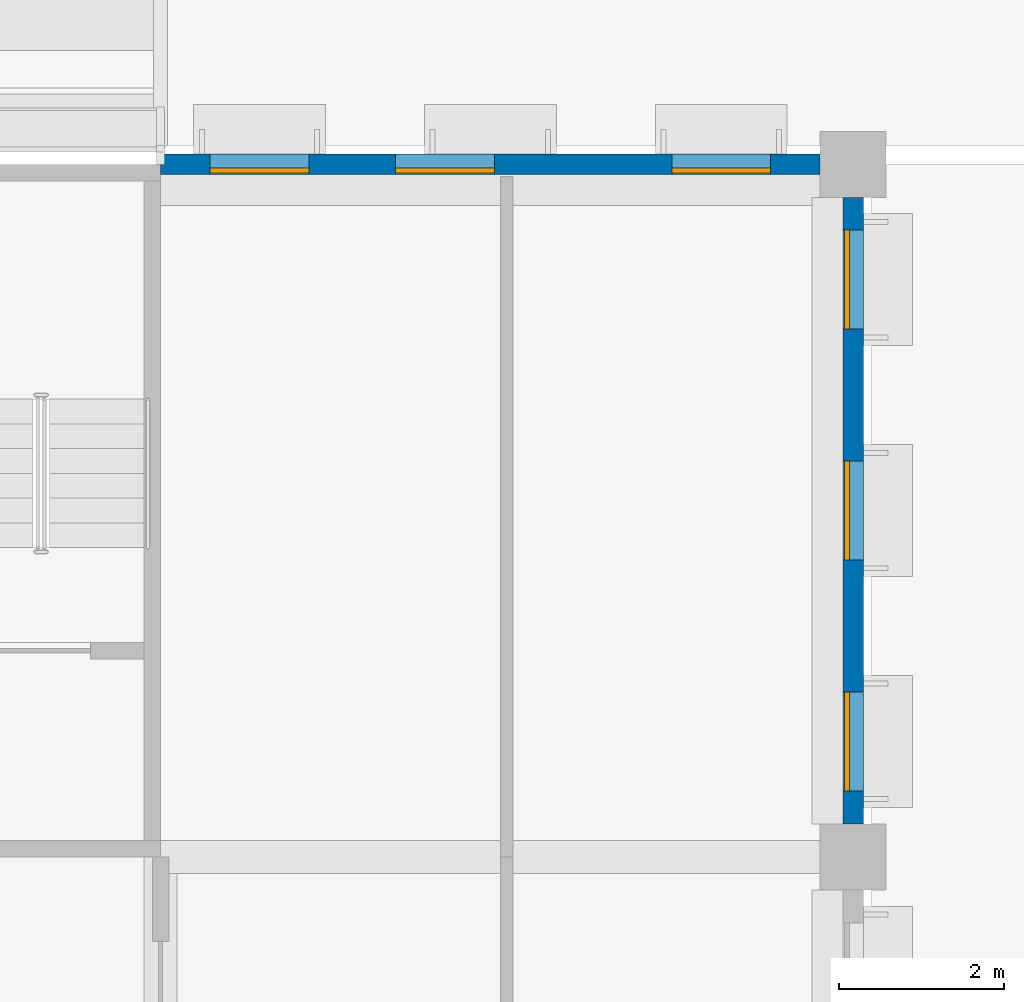
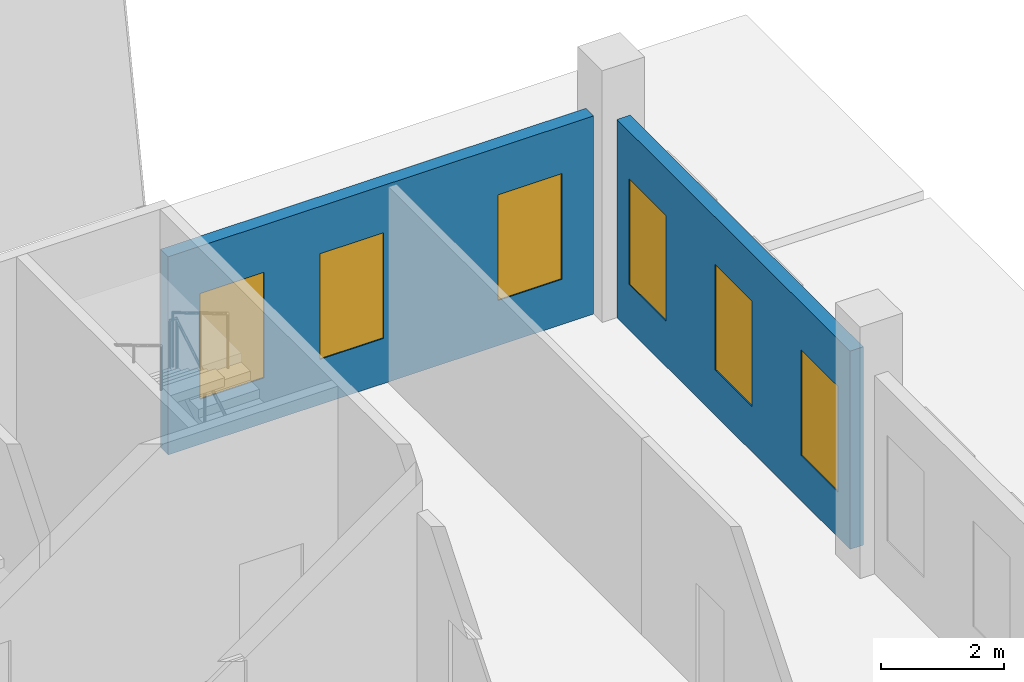
# One storey, part 42 of 101: 6 windows, 2 walls, 6 openings.
"""IFC4 building model written with IfcOpenShell, lengths in metres."""

from ifc_helpers import new_model, si_unit, direction, frame, frame_2d, origin, place, context, subcontext, project, spatial, rectangle, extrude, material, layer, layer_set, type_object, element, fill, save


model = new_model("IFC4")

# Units and contexts
model_context = context("Model", 3, precision=1e-05, world=origin(), true_north=direction((0.0, 1.0)))
body_context = subcontext(model_context, "Body", "Model", "MODEL_VIEW")
ifc_project = project(units=[si_unit("LENGTHUNIT", "METRE"), si_unit("AREAUNIT", "SQUARE_METRE"), si_unit("VOLUMEUNIT", "CUBIC_METRE"), si_unit("PLANEANGLEUNIT", "RADIAN"), si_unit("MASSUNIT", "GRAM", prefix="KILO")], contexts=[model_context])

# Site, building, storey
site_placement = place(None, origin())
site = spatial("IfcSite", under=ifc_project, at=site_placement, CompositionType="ELEMENT")
building_placement = place(site_placement, origin())
building = spatial("IfcBuilding", under=site, at=building_placement, Name="Almond Square Museum", CompositionType="ELEMENT")
storey_placement = place(building_placement, frame((0.0, 0.0, 5.5)))
storey = spatial("IfcBuildingStorey", under=building, at=storey_placement, Name="L01", CompositionType="ELEMENT", Elevation=5.5)

# Wall, openings, windows
ifc_material_1 = material(Name="Precast concrete C40/50", Category="concrete")
ifc_layer = layer(ifc_material_1, 0.25)
ifc_layer_set = layer_set([ifc_layer], Name="Precast concrete C40/50")
wall_type = type_object("IfcWallType", Name="Precast concrete panel wall 250 with coral limestone piers", PredefinedType="SOLIDWALL", material=ifc_layer_set)
wall_1_placement = place(storey_placement, frame((157.199951171875, 101.199951171875, 0.0), z_axis=(0.0, 0.0, 1.0), x_axis=(0.0, 1.0, 0.0)))
wall_1 = element("IfcWall", 1, at=wall_1_placement, inside=storey, type_object=wall_type, Name="External wall W2 V4E L01 E06", PredefinedType="SOLIDWALL", context=body_context, shape_type="SweptSolid", body=[
    extrude(rectangle(XDim=7.60009765625, YDim=0.25, at=frame_2d((3.800048828125, 0.0))), origin(), (0.0, 0.0, 1.0), 3.93994140625),
])
opening_1_placement = place(wall_1_placement, frame((0.39990234375, 0.0, 0.89990234375)))
opening_1 = element("IfcOpeningElement", 2, at=opening_1_placement, cuts=wall_1, Name="Opening W1078", PredefinedType="OPENING", context=body_context, shape_type="SweptSolid", body=[
    extrude(rectangle(XDim=1.199951171875, YDim=2.10009765625, at=frame_2d((0.60009765625, 1.050048828125))), frame((0.0, 0.135009765625, 0.0), z_axis=(0.0, -1.0, 0.0), x_axis=(1.0, 0.0, 0.0)), (0.0, 0.0, 1.0), 0.27001953125),
])
opening_2_placement = place(wall_1_placement, frame((3.199951171875, 0.0, 0.89990234375)))
opening_2 = element("IfcOpeningElement", 3, at=opening_2_placement, cuts=wall_1, Name="Opening W1079", PredefinedType="OPENING", context=body_context, shape_type="SweptSolid", body=[
    extrude(rectangle(XDim=1.199951171875, YDim=2.10009765625, at=frame_2d((0.60009765625, 1.050048828125))), frame((0.0, 0.135009765625, 0.0), z_axis=(0.0, -1.0, 0.0), x_axis=(1.0, 0.0, 0.0)), (0.0, 0.0, 1.0), 0.27001953125),
])
opening_3_placement = place(wall_1_placement, frame((6.0, 0.0, 0.89990234375)))
opening_3 = element("IfcOpeningElement", 4, at=opening_3_placement, cuts=wall_1, Name="Opening W1080", PredefinedType="OPENING", context=body_context, shape_type="SweptSolid", body=[
    extrude(rectangle(XDim=1.199951171875, YDim=2.10009765625, at=frame_2d((0.60009765625, 1.050048828125))), frame((0.0, 0.135009765625, 0.0), z_axis=(0.0, -1.0, 0.0), x_axis=(1.0, 0.0, 0.0)), (0.0, 0.0, 1.0), 0.27001953125),
])
ifc_material_2 = material(Name="Anodised aluminium louvre and laminated glass", Category="aluminium")
window_type = type_object("IfcWindowType", Name="Louvred pier window", PartitioningType="SINGLE_PANEL", PredefinedType="WINDOW", material=ifc_material_2)
window_1_placement = place(opening_1_placement, origin())
window_1 = element("IfcWindow", 5, at=window_1_placement, inside=storey, type_object=window_type, Name="Louvred pier window W1078", OverallHeight=2.10009765625, OverallWidth=1.199951171875, PartitioningType="SINGLE_PANEL", PredefinedType="WINDOW", context=body_context, shape_type="SweptSolid", body=[
    extrude(rectangle(XDim=1.199951171875, YDim=2.10009765625, at=frame_2d((0.60009765625, 1.050048828125))), frame((0.0, 0.10498046875, 0.0), z_axis=(0.0, -1.0, 0.0), x_axis=(1.0, 0.0, 0.0)), (0.0, 0.0, 1.0), 0.06005859375),
])
fill(opening_1, window_1)
window_2_placement = place(opening_2_placement, origin())
window_2 = element("IfcWindow", 6, at=window_2_placement, inside=storey, type_object=window_type, Name="Louvred pier window W1079", OverallHeight=2.10009765625, OverallWidth=1.199951171875, PartitioningType="SINGLE_PANEL", PredefinedType="WINDOW", context=body_context, shape_type="SweptSolid", body=[
    extrude(rectangle(XDim=1.199951171875, YDim=2.10009765625, at=frame_2d((0.60009765625, 1.050048828125))), frame((0.0, 0.10498046875, 0.0), z_axis=(0.0, -1.0, 0.0), x_axis=(1.0, 0.0, 0.0)), (0.0, 0.0, 1.0), 0.06005859375),
])
fill(opening_2, window_2)
window_3_placement = place(opening_3_placement, origin())
window_3 = element("IfcWindow", 7, at=window_3_placement, inside=storey, type_object=window_type, Name="Louvred pier window W1080", OverallHeight=2.10009765625, OverallWidth=1.199951171875, PartitioningType="SINGLE_PANEL", PredefinedType="WINDOW", context=body_context, shape_type="SweptSolid", body=[
    extrude(rectangle(XDim=1.199951171875, YDim=2.10009765625, at=frame_2d((0.60009765625, 1.050048828125))), frame((0.0, 0.10498046875, 0.0), z_axis=(0.0, -1.0, 0.0), x_axis=(1.0, 0.0, 0.0)), (0.0, 0.0, 1.0), 0.06005859375),
])
fill(opening_3, window_3)

wall_2_placement = place(storey_placement, frame((148.800048828125, 109.199951171875, 0.0), z_axis=(0.0, 0.0, 1.0), x_axis=(1.0, 0.0, 0.0)))
wall_2 = element("IfcWall", 8, at=wall_2_placement, inside=storey, type_object=wall_type, Name="External wall W2 V4E L01 N01", PredefinedType="SOLIDWALL", context=body_context, shape_type="SweptSolid", body=[
    extrude(rectangle(XDim=8.0, YDim=0.25, at=frame_2d((4.0, 0.0))), origin(), (0.0, 0.0, 1.0), 3.93994140625),
])
opening_4_placement = place(wall_2_placement, frame((0.60009765625, 0.0, 0.89990234375)))
opening_4 = element("IfcOpeningElement", 9, at=opening_4_placement, cuts=wall_2, Name="Opening W1081", PredefinedType="OPENING", context=body_context, shape_type="SweptSolid", body=[
    extrude(rectangle(XDim=1.199951171875, YDim=2.10009765625, at=frame_2d((0.60009765625, 1.050048828125))), frame((0.0, 0.135009765625, 0.0), z_axis=(0.0, -1.0, 0.0), x_axis=(1.0, 0.0, 0.0)), (0.0, 0.0, 1.0), 0.27001953125),
])
opening_5_placement = place(wall_2_placement, frame((2.85009765625, 0.0, 0.89990234375)))
opening_5 = element("IfcOpeningElement", 10, at=opening_5_placement, cuts=wall_2, Name="Opening W1082", PredefinedType="OPENING", context=body_context, shape_type="SweptSolid", body=[
    extrude(rectangle(XDim=1.199951171875, YDim=2.10009765625, at=frame_2d((0.60009765625, 1.050048828125))), frame((0.0, 0.135009765625, 0.0), z_axis=(0.0, -1.0, 0.0), x_axis=(1.0, 0.0, 0.0)), (0.0, 0.0, 1.0), 0.27001953125),
])
opening_6_placement = place(wall_2_placement, frame((6.199951171875, 0.0, 0.89990234375)))
opening_6 = element("IfcOpeningElement", 11, at=opening_6_placement, cuts=wall_2, Name="Opening W1083", PredefinedType="OPENING", context=body_context, shape_type="SweptSolid", body=[
    extrude(rectangle(XDim=1.199951171875, YDim=2.10009765625, at=frame_2d((0.60009765625, 1.050048828125))), frame((0.0, 0.135009765625, 0.0), z_axis=(0.0, -1.0, 0.0), x_axis=(1.0, 0.0, 0.0)), (0.0, 0.0, 1.0), 0.27001953125),
])
window_4_placement = place(opening_4_placement, origin())
window_4 = element("IfcWindow", 12, at=window_4_placement, inside=storey, type_object=window_type, Name="Louvred pier window W1081", OverallHeight=2.10009765625, OverallWidth=1.199951171875, PartitioningType="SINGLE_PANEL", PredefinedType="WINDOW", context=body_context, shape_type="SweptSolid", body=[
    extrude(rectangle(XDim=1.199951171875, YDim=2.10009765625, at=frame_2d((0.60009765625, 1.050048828125))), frame((0.0, -0.044921875, 0.0), z_axis=(0.0, -1.0, 0.0), x_axis=(1.0, 0.0, 0.0)), (0.0, 0.0, 1.0), 0.06005859375),
])
fill(opening_4, window_4)
window_5_placement = place(opening_5_placement, origin())
window_5 = element("IfcWindow", 13, at=window_5_placement, inside=storey, type_object=window_type, Name="Louvred pier window W1082", OverallHeight=2.10009765625, OverallWidth=1.199951171875, PartitioningType="SINGLE_PANEL", PredefinedType="WINDOW", context=body_context, shape_type="SweptSolid", body=[
    extrude(rectangle(XDim=1.199951171875, YDim=2.10009765625, at=frame_2d((0.60009765625, 1.050048828125))), frame((0.0, -0.044921875, 0.0), z_axis=(0.0, -1.0, 0.0), x_axis=(1.0, 0.0, 0.0)), (0.0, 0.0, 1.0), 0.06005859375),
])
fill(opening_5, window_5)
window_6_placement = place(opening_6_placement, origin())
window_6 = element("IfcWindow", 14, at=window_6_placement, inside=storey, type_object=window_type, Name="Louvred pier window W1083", OverallHeight=2.10009765625, OverallWidth=1.199951171875, PartitioningType="SINGLE_PANEL", PredefinedType="WINDOW", context=body_context, shape_type="SweptSolid", body=[
    extrude(rectangle(XDim=1.199951171875, YDim=2.10009765625, at=frame_2d((0.60009765625, 1.050048828125))), frame((0.0, -0.044921875, 0.0), z_axis=(0.0, -1.0, 0.0), x_axis=(1.0, 0.0, 0.0)), (0.0, 0.0, 1.0), 0.06005859375),
])
fill(opening_6, window_6)

save(model, "model.ifc")
